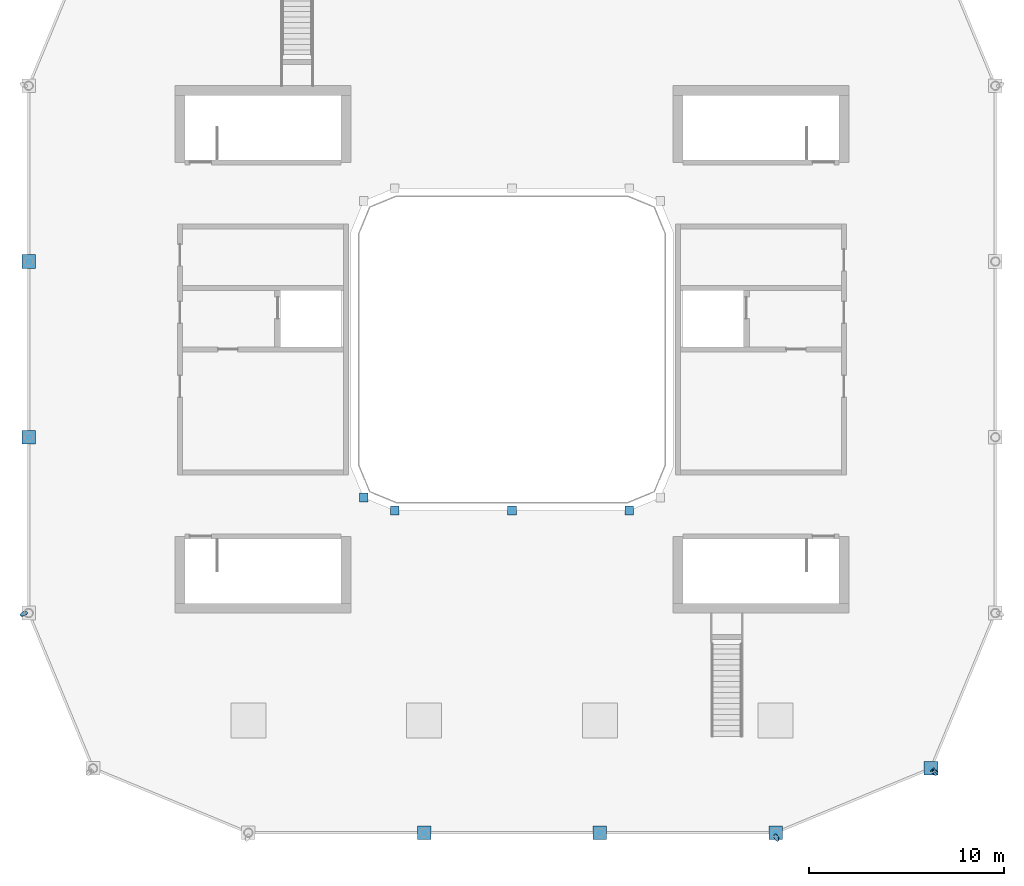
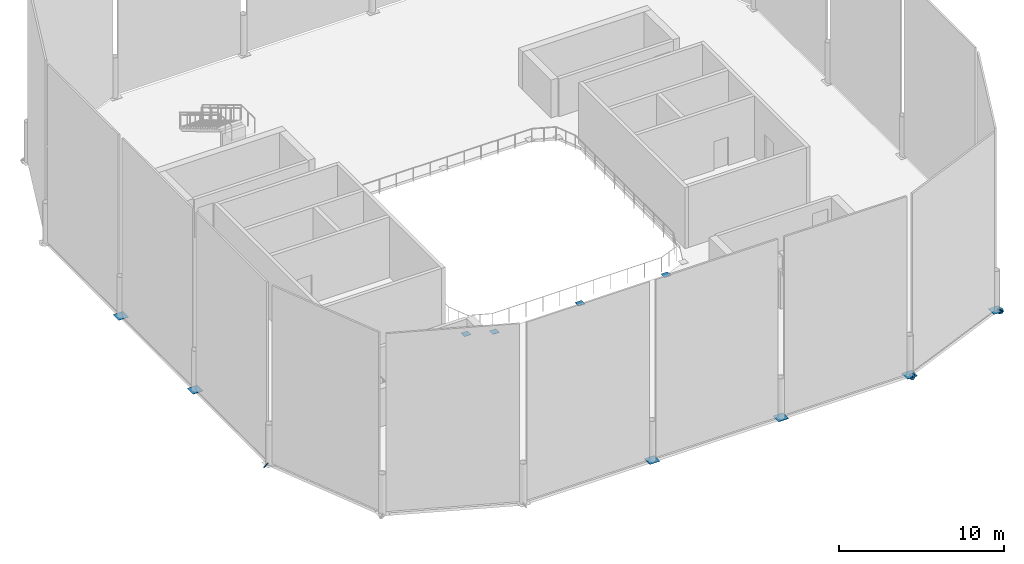
# One storey, part 5 of 8: 14 discrete accessories.
"""IFC4 building model written with IfcOpenShell, lengths in metres."""

from ifc_helpers import new_model, si_unit, direction, frame, origin, origin_2d, place, context, subcontext, project, spatial, rectangle, circle, extrude, material, layer, layer_set, type_object, element, save


model = new_model("IFC4")

# Units and contexts
model_context = context("Model", 3, precision=1e-05, world=origin(), true_north=direction((0.0, 1.0)))
body_context = subcontext(model_context, "Body", "Model", "MODEL_VIEW")
ifc_project = project(units=[si_unit("LENGTHUNIT", "METRE"), si_unit("AREAUNIT", "SQUARE_METRE"), si_unit("VOLUMEUNIT", "CUBIC_METRE"), si_unit("PLANEANGLEUNIT", "RADIAN"), si_unit("MASSUNIT", "GRAM", prefix="KILO")], contexts=[model_context])

# Site, building, storey
site_placement = place(None, origin())
site = spatial("IfcSite", under=ifc_project, at=site_placement, CompositionType="ELEMENT")
building_placement = place(site_placement, origin())
building = spatial("IfcBuilding", under=site, at=building_placement, Name="Siwar Civic Tower", CompositionType="ELEMENT")
storey_placement = place(building_placement, frame((0.0, 0.0, 358.199951171875)))
storey = spatial("IfcBuildingStorey", under=building, at=storey_placement, Name="ROOF", CompositionType="ELEMENT", Elevation=358.199951171875)

# Discrete accessories
ifc_material = material(Name="Steel S355", Category="steel")
ifc_layer = layer(ifc_material, 0.02001953125)
ifc_layer_set = layer_set([ifc_layer], Name="Steel S355")
discrete_accessory_type = type_object("IfcDiscreteAccessoryType", Name="STR-END-CAP", PredefinedType="USERDEFINED", material=ifc_layer_set)
for number, where, z_axis, x_axis, name in (
    (1, (-4.5, -24.75, 0.0), (0.0, 0.0, 1.0), (1.0, 0.0, 0.0), "End cap plate L76 col S-1"),
    (2, (4.5, -24.75, 0.0), (0.0, 0.0, 1.0), (1.0, 0.0, 0.0), "End cap plate L76 col S-2"),
    (3, (13.5, -24.75, 0.0), (0.0, 0.0, 1.0), (1.0, 0.0, 0.0), "End cap plate L76 col SE1-0"),
    (4, (21.454833984375, -21.454833984375, 0.0), (0.0, 0.0, 1.0), (1.0, 0.0, 0.0), "End cap plate L76 col SE2-0"),
    (5, (-24.75, 4.5, 0.0), (0.0, 0.0, 1.0), (1.0, 0.0, 0.0), "End cap plate L76 col W-1"),
    (6, (-24.75, -4.5, 0.0), (0.0, 0.0, 1.0), (1.0, 0.0, 0.0), "End cap plate L76 col W-2"),
):
    element("IfcDiscreteAccessory", number, at=place(storey_placement, frame(where, z_axis=z_axis, x_axis=x_axis)), inside=storey, type_object=discrete_accessory_type, Name=name, ObjectType="END CAP PLATE", PredefinedType="USERDEFINED", context=body_context, shape_type="SweptSolid", body=[
        extrude(rectangle(XDim=0.699951171875, YDim=0.699951171875, at=origin_2d()), origin(), (0.0, 0.0, 1.0), 0.02001953125),
    ])
for number, where, z_axis, x_axis, name in (
    (7, (-7.591064453125, -7.591064453125, 0.0), (0.0, 0.0, 1.0), (1.0, 0.0, 0.0), "End cap plate L76 col IS-0"),
    (8, (-6.0, -8.25, 0.0), (0.0, 0.0, 1.0), (1.0, 0.0, 0.0), "End cap plate L76 col IS-1"),
    (9, (0.0, -8.25, 0.0), (0.0, 0.0, 1.0), (1.0, 0.0, 0.0), "End cap plate L76 col IS-2"),
    (10, (6.0, -8.25, 0.0), (0.0, 0.0, 1.0), (1.0, 0.0, 0.0), "End cap plate L76 col IS-3"),
):
    element("IfcDiscreteAccessory", number, at=place(storey_placement, frame(where, z_axis=z_axis, x_axis=x_axis)), inside=storey, type_object=discrete_accessory_type, Name=name, ObjectType="END CAP PLATE", PredefinedType="USERDEFINED", context=body_context, shape_type="SweptSolid", body=[
        extrude(rectangle(XDim=0.449951171875, YDim=0.449951171875, at=origin_2d()), origin(), (0.0, 0.0, 1.0), 0.02001953125),
    ])
discrete_accessory_1_placement = place(storey_placement, frame((21.6318359375, -21.6318359375, 0.0), z_axis=(-0.34233000975, -0.794694665491, 0.501268942848), x_axis=(0.918412615811, -0.395623896042, 0.0)))
element("IfcDiscreteAccessory", 11, at=discrete_accessory_1_placement, inside=storey, type_object=discrete_accessory_type, Name="End cap plate L76 brc DSE1-15-0-3", ObjectType="END CAP PLATE", PredefinedType="USERDEFINED", context=body_context, shape_type="SweptSolid", body=[
    extrude(circle(Radius=0.203125, at=origin_2d()), origin(), (0.0, 0.0, 1.0), 0.02001953125),
])
discrete_accessory_2_placement = place(storey_placement, frame((13.548828125, -24.9951171875, 0.0), z_axis=(-0.799134556069, -0.339026781363, 0.49643207271), x_axis=(0.390549846856, -0.920581781875, 0.0)))
element("IfcDiscreteAccessory", 12, at=discrete_accessory_2_placement, inside=storey, type_object=discrete_accessory_type, Name="End cap plate L76 brc DSE1-15-0-0", ObjectType="END CAP PLATE", PredefinedType="USERDEFINED", context=body_context, shape_type="SweptSolid", body=[
    extrude(circle(Radius=0.203125, at=origin_2d()), origin(), (0.0, 0.0, 1.0), 0.020263671875),
])
discrete_accessory_3_placement = place(storey_placement, frame((21.6318359375, -21.6318359375, 0.0), z_axis=(0.794694665491, 0.34233000975, 0.501268942848), x_axis=(-0.395623896042, 0.918412615811, 0.0)))
element("IfcDiscreteAccessory", 13, at=discrete_accessory_3_placement, inside=storey, type_object=discrete_accessory_type, Name="End cap plate L76 brc DSE1-15-0-5", ObjectType="END CAP PLATE", PredefinedType="USERDEFINED", context=body_context, shape_type="SweptSolid", body=[
    extrude(circle(Radius=0.203125, at=origin_2d()), origin(), (0.0, 0.0, 1.0), 0.02001953125),
])
discrete_accessory_4_placement = place(storey_placement, frame((-24.9951171875, -13.548828125, 0.0), z_axis=(-0.339026781363, 0.799134556069, 0.49643207271), x_axis=(-0.920581781875, -0.390549846856, 0.0)))
element("IfcDiscreteAccessory", 14, at=discrete_accessory_4_placement, inside=storey, type_object=discrete_accessory_type, Name="End cap plate L76 brc DSW1-15-0-5", ObjectType="END CAP PLATE", PredefinedType="USERDEFINED", context=body_context, shape_type="SweptSolid", body=[
    extrude(circle(Radius=0.203125, at=origin_2d()), origin(), (0.0, 0.0, 1.0), 0.020263671875),
])

save(model, "model.ifc")
